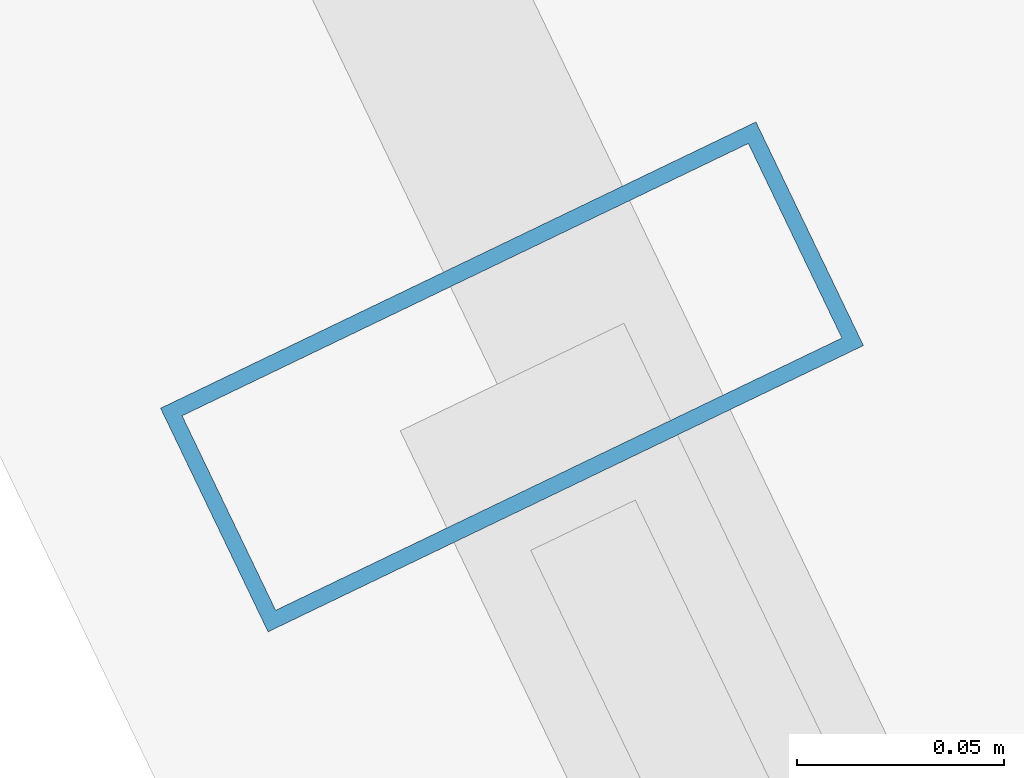
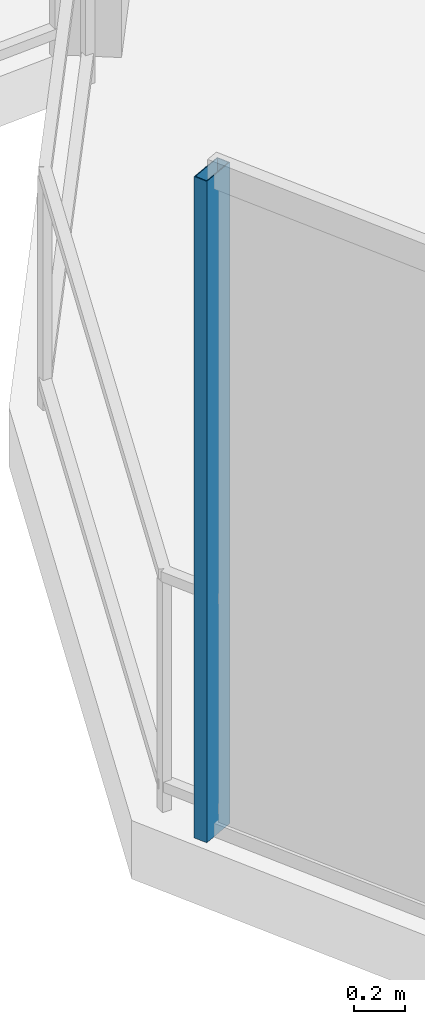
# One storey, part 16 of 30: 1 member, 1 element without a shape of its own.
"""IFC4 building model written with IfcOpenShell, lengths in metres."""

from ifc_helpers import new_model, si_unit, direction, frame, origin, origin_2d, place, context, subcontext, project, spatial, hollow_rectangle, extrude, material, layer, layer_set, material_profile, profile_set, type_object, element, aggregate, save


model = new_model("IFC4")

# Units and contexts
model_context = context("Model", 3, precision=1e-05, world=origin(), true_north=direction((0.0, 1.0)))
body_context = subcontext(model_context, "Body", "Model", "MODEL_VIEW")
ifc_project = project(units=[si_unit("LENGTHUNIT", "METRE"), si_unit("AREAUNIT", "SQUARE_METRE"), si_unit("VOLUMEUNIT", "CUBIC_METRE"), si_unit("PLANEANGLEUNIT", "RADIAN"), si_unit("MASSUNIT", "GRAM", prefix="KILO")], contexts=[model_context])

# Site, building, storey
site_placement = place(None, origin())
site = spatial("IfcSite", under=ifc_project, at=site_placement, CompositionType="ELEMENT")
building_placement = place(site_placement, origin())
building = spatial("IfcBuilding", under=site, at=building_placement, Name="Qarnah Convention Tower", CompositionType="ELEMENT")
storey_placement = place(building_placement, frame((0.0, 0.0, 51.14990234375)))
storey = spatial("IfcBuildingStorey", under=building, at=storey_placement, Name="L12", CompositionType="ELEMENT", Elevation=51.14990234375)

# Curtain wall, member
ifc_material_1 = material(Name="Tempered Low-E dark glass", Category="glass")
ifc_layer = layer(ifc_material_1, 0.16796875)
ifc_layer_set = layer_set([ifc_layer], Name="Tempered Low-E dark glass")
curtain_wall_type = type_object("IfcCurtainWallType", Name="CWS-01", PredefinedType="NOTDEFINED", material=ifc_layer_set)
curtain_wall_placement = place(storey_placement, origin())
curtain_wall = element("IfcCurtainWall", 1, at=curtain_wall_placement, inside=storey, type_object=curtain_wall_type, Name="L12 unitised curtain wall CW-L12-F1", PredefinedType="NOTDEFINED")
ifc_material_2 = material(Name="Black anodised aluminium", Category="aluminium")
ifc_material_profile = material_profile(ifc_material_2, hollow_rectangle(XDim=0.06005859375, YDim=0.159912109375, WallThickness=0.00390625, at=origin_2d()), Name="MUL-60X160")
ifc_profile_set = profile_set([ifc_material_profile], Name="Black anodised aluminium")
member_type = type_object("IfcMemberType", Name="MUL-T1", PredefinedType="MULLION", material=ifc_profile_set)
member_placement = place(storey_placement, frame((13.81005859375, 33.56494140625, 0.0), z_axis=(0.0, 0.0, 1.0), x_axis=(-0.433348502492, 0.901226428479, 0.0)))
member = element("IfcMember", 2, at=member_placement, type_object=member_type, Name="CW-L12-F1 mullion 6", PredefinedType="MULLION", context=body_context, shape_type="SweptSolid", body=[
    extrude(hollow_rectangle(XDim=0.06005859375, YDim=0.159912109375, WallThickness=0.00390625, at=origin_2d()), origin(), (0.0, 0.0, 1.0), 3.170166015625),
])
aggregate(curtain_wall, [member])

save(model, "model.ifc")
